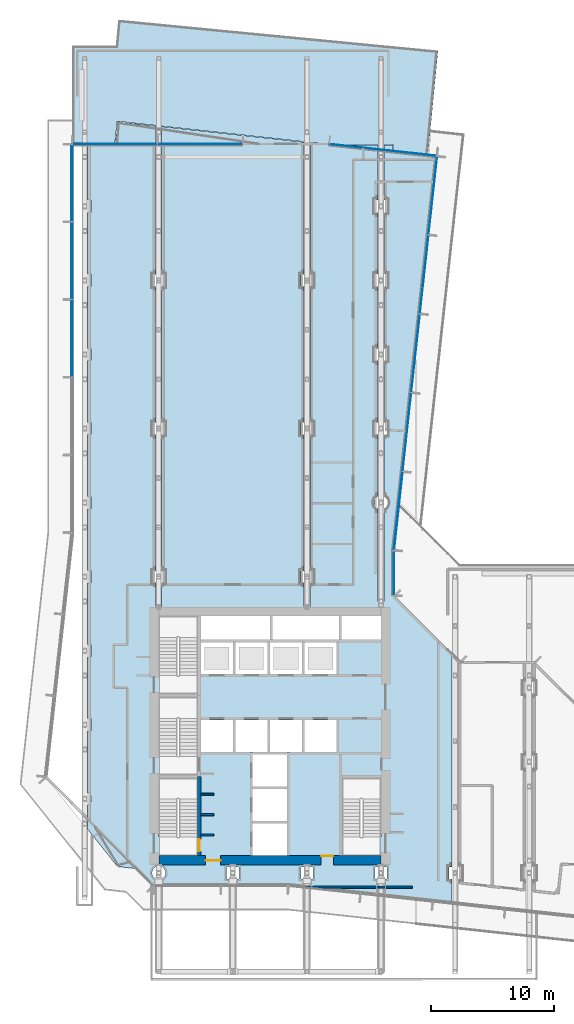
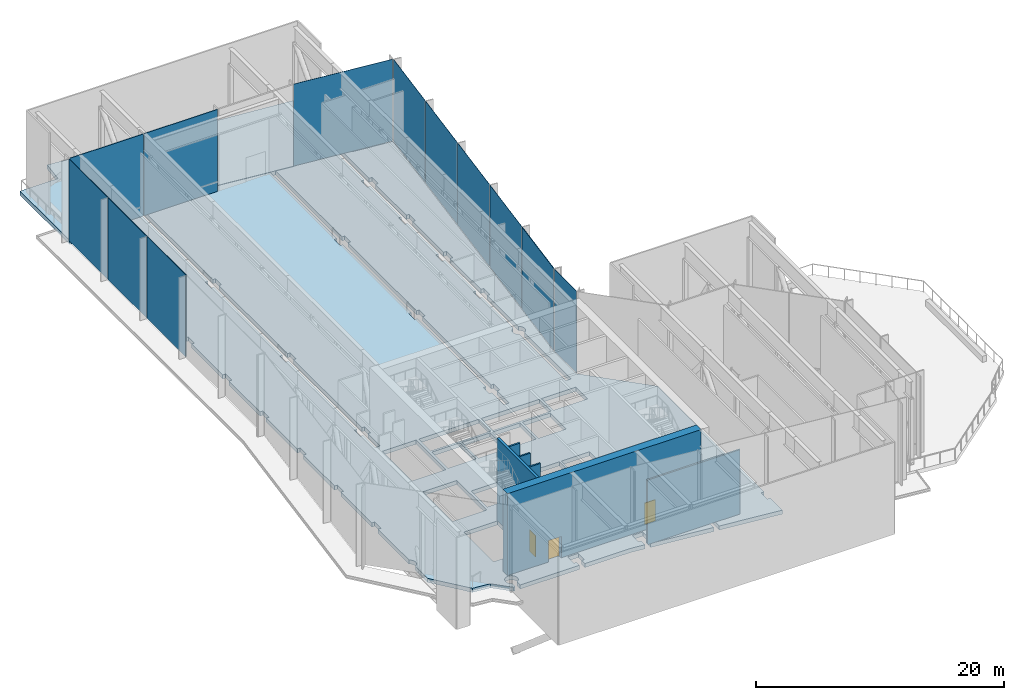
# One storey, part 12 of 24: 12 plates, 6 walls, 3 doors, 2 slabs, 3 openings, 5 elements without a shape of their own.
"""IFC4 building model written with IfcOpenShell, lengths in metres."""

from ifc_helpers import new_model, si_unit, direction, frame, frame_2d, origin, origin_2d, place, context, subcontext, project, spatial, polyline, rectangle, outline, extrude, material, layer, layer_set, type_object, element, fill, aggregate, save


model = new_model("IFC4")

# Units and contexts
model_context = context("Model", 3, precision=1e-05, world=origin(), true_north=direction((0.0, 1.0)))
body_context = subcontext(model_context, "Body", "Model", "MODEL_VIEW")
ifc_project = project(units=[si_unit("LENGTHUNIT", "METRE"), si_unit("AREAUNIT", "SQUARE_METRE"), si_unit("VOLUMEUNIT", "CUBIC_METRE"), si_unit("PLANEANGLEUNIT", "RADIAN"), si_unit("MASSUNIT", "GRAM", prefix="KILO")], contexts=[model_context])

# Site, building, storey
site_placement = place(None, origin())
site = spatial("IfcSite", under=ifc_project, at=site_placement, CompositionType="ELEMENT")
building_placement = place(site_placement, origin())
building = spatial("IfcBuilding", under=site, at=building_placement, Name="Welwitschia Terrace Campus", CompositionType="ELEMENT")
storey_placement = place(building_placement, frame((0.0, 0.0, 138.199951171875)))
storey = spatial("IfcBuildingStorey", under=building, at=storey_placement, Name="L31", CompositionType="ELEMENT", Elevation=138.199951171875)

# Curtain wall, plate
ifc_material_1 = material(Name="Bronze anodised aluminium", Category="aluminium")
ifc_layer_1 = layer(ifc_material_1, 0.159912109375)
ifc_layer_set_1 = layer_set([ifc_layer_1], Name="Bronze anodised aluminium")
curtain_wall_type = type_object("IfcCurtainWallType", Name="Curtain wall CW3 commons 6000", PredefinedType="NOTDEFINED", material=ifc_layer_set_1)
curtain_wall_1_placement = place(storey_placement, origin())
curtain_wall_1 = element("IfcCurtainWall", 1, at=curtain_wall_1_placement, inside=storey, type_object=curtain_wall_type, Name="CW L31.9.0", PredefinedType="NOTDEFINED")
ifc_material_2 = material(Name="Tinted bronze-grey glass", Category="glass")
ifc_layer_2 = layer(ifc_material_2, 0.031982421875)
ifc_layer_set_2 = layer_set([ifc_layer_2], Name="Tinted bronze-grey glass")
plate_type_1 = type_object("IfcPlateType", Name="Glass panel 32 tinted", PredefinedType="CURTAIN_PANEL", material=ifc_layer_set_2)
plate_1_placement = place(storey_placement, frame((25.050048828125, 28.279052734375, 0.0), z_axis=(0.0, 0.0, 1.0), x_axis=(0.0, 1.0, 0.0)))
plate_1 = element("IfcPlate", 2, at=plate_1_placement, type_object=plate_type_1, Name="Panel L31.9.0.0", PredefinedType="CURTAIN_PANEL", context=body_context, shape_type="SweptSolid", body=[
    extrude(rectangle(XDim=3.568359375, YDim=0.031982421875, at=origin_2d()), origin(), (0.0, 0.0, 1.0), 8.050048828125),
])
aggregate(curtain_wall_1, [plate_1])

# Curtain wall, plates
curtain_wall_2_placement = place(storey_placement, origin())
curtain_wall_2 = element("IfcCurtainWall", 3, at=curtain_wall_2_placement, inside=storey, type_object=curtain_wall_type, Name="CW L31.10.0", PredefinedType="NOTDEFINED")
plate_2_placement = place(storey_placement, frame((26.10009765625, 39.712646484375, 0.0), z_axis=(0.0, 0.0, 1.0), x_axis=(0.108866874852, 0.994056338222, 0.0)))
plate_2 = element("IfcPlate", 4, at=plate_2_placement, type_object=plate_type_1, Name="Panel L31.10.0.1", PredefinedType="CURTAIN_PANEL", context=body_context, shape_type="SweptSolid", body=[
    extrude(rectangle(XDim=6.37109375, YDim=0.031982421875, at=origin_2d()), origin(), (0.0, 0.0, 1.0), 8.050048828125),
])
plate_3_placement = place(storey_placement, frame((26.80029296875, 46.105712890625, 0.0), z_axis=(0.0, 0.0, 1.0), x_axis=(0.108866874852, 0.994056338222, 0.0)))
plate_3 = element("IfcPlate", 5, at=plate_3_placement, type_object=plate_type_1, Name="Panel L31.10.0.2", PredefinedType="CURTAIN_PANEL", context=body_context, shape_type="SweptSolid", body=[
    extrude(rectangle(XDim=6.37109375, YDim=0.031982421875, at=origin_2d()), origin(), (0.0, 0.0, 1.0), 8.050048828125),
])
plate_4_placement = place(storey_placement, frame((27.50048828125, 52.49853515625, 0.0), z_axis=(0.0, 0.0, 1.0), x_axis=(0.108866874852, 0.994056338222, 0.0)))
plate_4 = element("IfcPlate", 6, at=plate_4_placement, type_object=plate_type_1, Name="Panel L31.10.0.3", PredefinedType="CURTAIN_PANEL", context=body_context, shape_type="SweptSolid", body=[
    extrude(rectangle(XDim=6.37109375, YDim=0.031982421875, at=origin_2d()), origin(), (0.0, 0.0, 1.0), 8.050048828125),
])
plate_5_placement = place(storey_placement, frame((28.198974609375, 58.87646484375, 0.0), z_axis=(0.0, 0.0, 1.0), x_axis=(0.108866874852, 0.994056338222, 0.0)))
plate_5 = element("IfcPlate", 7, at=plate_5_placement, type_object=plate_type_1, Name="Panel L31.10.0.4", PredefinedType="CURTAIN_PANEL", context=body_context, shape_type="SweptSolid", body=[
    extrude(rectangle(XDim=6.341064453125, YDim=0.031982421875, at=origin_2d()), origin(), (0.0, 0.0, 1.0), 8.050048828125),
])

# Curtain wall, plate
curtain_wall_3_placement = place(storey_placement, origin())
curtain_wall_3 = element("IfcCurtainWall", 8, at=curtain_wall_3_placement, inside=storey, type_object=curtain_wall_type, Name="CW L31.11.0", PredefinedType="NOTDEFINED")
plate_6_placement = place(storey_placement, frame((24.158203125, 62.56884765625, 0.0), z_axis=(0.0, 0.0, 1.0), x_axis=(-0.994056338222, 0.108866874852, 0.0)))
plate_6 = element("IfcPlate", 9, at=plate_6_placement, type_object=plate_type_1, Name="Panel L31.11.0.0", PredefinedType="CURTAIN_PANEL", context=body_context, shape_type="SweptSolid", body=[
    extrude(rectangle(XDim=8.717529296875, YDim=0.031982421875, at=origin_2d()), origin(), (0.0, 0.0, 1.0), 8.050048828125),
])
aggregate(curtain_wall_3, [plate_6])

# Plate
ifc_material_3 = material(Name="Bronze anodised insulated metal panel")
ifc_layer_3 = layer(ifc_material_3, 0.06005859375)
ifc_layer_set_3 = layer_set([ifc_layer_3], Name="Bronze anodised insulated metal panel")
plate_type_2 = type_object("IfcPlateType", Name="Insulated metal panel 60", PredefinedType="CURTAIN_PANEL", material=ifc_layer_set_3)
plate_7_placement = place(storey_placement, frame((25.401611328125, 33.334716796875, 0.0), z_axis=(0.0, 0.0, 1.0), x_axis=(0.108866874852, 0.994056338222, 0.0)))
plate_7 = element("IfcPlate", 10, at=plate_7_placement, type_object=plate_type_2, Name="Panel L31.10.0.0", PredefinedType="CURTAIN_PANEL", context=body_context, shape_type="SweptSolid", body=[
    extrude(rectangle(XDim=6.341064453125, YDim=0.06005859375, at=origin_2d()), origin(), (0.0, 0.0, 1.0), 8.050048828125),
])

aggregate(curtain_wall_2, [plate_7, plate_2, plate_3, plate_4, plate_5])

# Curtain wall, plates
curtain_wall_4_placement = place(storey_placement, origin())
curtain_wall_4 = element("IfcCurtainWall", 11, at=curtain_wall_4_placement, inside=storey, type_object=curtain_wall_type, Name="CW L31.12.1", PredefinedType="NOTDEFINED")
plate_8_placement = place(storey_placement, frame((9.3427734375, 63.050048828125, 0.0), z_axis=(0.0, 0.0, 1.0), x_axis=(-1.0, 0.0, 0.0)))
plate_8 = element("IfcPlate", 12, at=plate_8_placement, type_object=plate_type_2, Name="Panel L31.12.1.0", PredefinedType="CURTAIN_PANEL", context=body_context, shape_type="SweptSolid", body=[
    extrude(rectangle(XDim=6.8486328125, YDim=0.06005859375, at=origin_2d()), origin(), (0.0, 0.0, 1.0), 8.050048828125),
])
plate_9_placement = place(storey_placement, frame((2.434326171875, 63.050048828125, 0.0), z_axis=(0.0, 0.0, 1.0), x_axis=(-1.0, 0.0, 0.0)))
plate_9 = element("IfcPlate", 13, at=plate_9_placement, type_object=plate_type_2, Name="Panel L31.12.1.1", PredefinedType="CURTAIN_PANEL", context=body_context, shape_type="SweptSolid", body=[
    extrude(rectangle(XDim=6.8486328125, YDim=0.06005859375, at=origin_2d()), origin(), (0.0, 0.0, 1.0), 8.050048828125),
])
aggregate(curtain_wall_4, [plate_8, plate_9])

curtain_wall_5_placement = place(storey_placement, origin())
curtain_wall_5 = element("IfcCurtainWall", 14, at=curtain_wall_5_placement, inside=storey, type_object=curtain_wall_type, Name="CW L31.13.0", PredefinedType="NOTDEFINED")
plate_10_placement = place(storey_placement, frame((-1.050048828125, 59.884765625, 0.0), z_axis=(0.0, 0.0, 1.0), x_axis=(0.0, -1.0, 0.0)))
plate_10 = element("IfcPlate", 15, at=plate_10_placement, type_object=plate_type_2, Name="Panel L31.13.0.0", PredefinedType="CURTAIN_PANEL", context=body_context, shape_type="SweptSolid", body=[
    extrude(rectangle(XDim=6.21044921875, YDim=0.06005859375, at=origin_2d()), origin(), (0.0, 0.0, 1.0), 8.050048828125),
])
plate_11_placement = place(storey_placement, frame((-1.050048828125, 53.599365234375, 0.0), z_axis=(0.0, 0.0, 1.0), x_axis=(0.0, -1.0, 0.0)))
plate_11 = element("IfcPlate", 16, at=plate_11_placement, type_object=plate_type_2, Name="Panel L31.13.0.1", PredefinedType="CURTAIN_PANEL", context=body_context, shape_type="SweptSolid", body=[
    extrude(rectangle(XDim=6.240234375, YDim=0.06005859375, at=origin_2d()), origin(), (0.0, 0.0, 1.0), 8.050048828125),
])
plate_12_placement = place(storey_placement, frame((-1.050048828125, 47.299072265625, 0.0), z_axis=(0.0, 0.0, 1.0), x_axis=(0.0, -1.0, 0.0)))
plate_12 = element("IfcPlate", 17, at=plate_12_placement, type_object=plate_type_2, Name="Panel L31.13.0.2", PredefinedType="CURTAIN_PANEL", context=body_context, shape_type="SweptSolid", body=[
    extrude(rectangle(XDim=6.240234375, YDim=0.06005859375, at=origin_2d()), origin(), (0.0, 0.0, 1.0), 8.050048828125),
])
aggregate(curtain_wall_5, [plate_10, plate_11, plate_12])

# Slabs
ifc_material_4 = material(Name="Concrete C40/50", Category="concrete")
ifc_layer_4 = layer(ifc_material_4, 0.39990234375)
ifc_layer_set_4 = layer_set([ifc_layer_4], Name="Concrete C40/50")
slab_type_1 = type_object("IfcSlabType", Name="Suspended floor slab 400", PredefinedType="FLOOR", material=ifc_layer_set_4)
slab_1_placement = place(storey_placement, frame((0.0, 0.0, -0.39990234375)))
element("IfcSlab", 18, at=slab_1_placement, inside=storey, type_object=slab_type_1, Name="Floor slab L31", PredefinedType="FLOOR", context=body_context, shape_type="SweptSolid", body=[
    extrude(outline(polyline([(4.2451171875, 4.3408203125), (2.664794921875, 4.513916015625), (0.235107421875, 7.541259765625), (0.235107421875, 9.5048828125), (0.3056640625, 9.542724609375), (0.388916015625, 9.611083984375), (0.457275390625, 9.6943359375), (0.508056640625, 9.78955078125), (0.53955078125, 9.892822265625), (0.550048828125, 10.0), (0.53955078125, 10.107177734375), (0.508056640625, 10.21044921875), (0.457275390625, 10.3056640625), (0.388916015625, 10.388916015625), (0.3056640625, 10.457275390625), (0.235107421875, 10.4951171875), (0.235107421875, 15.5), (0.5, 15.5), (0.5, 16.5), (0.235107421875, 16.5), (0.235107421875, 21.5), (0.5, 21.5), (0.5, 22.5), (0.235107421875, 22.5), (0.235107421875, 27.5), (0.5, 27.5), (0.5, 28.5), (0.235107421875, 28.5), (0.235107421875, 33.5), (0.5, 33.5), (0.5, 34.5), (0.235107421875, 34.5), (0.235107421875, 39.5), (0.5, 39.5), (0.5, 40.5), (0.235107421875, 40.5), (0.235107421875, 45.5), (0.5, 45.5), (0.5, 46.5), (0.235107421875, 46.5), (0.235107421875, 51.5), (0.5, 51.5), (0.5, 52.5), (0.235107421875, 52.5), (0.235107421875, 57.5), (0.5, 57.5), (0.5, 58.5), (0.235107421875, 58.5), (0.235107421875, 62.985107421875), (2.44482421875, 62.985107421875), (2.4462890625, 62.985107421875), (2.44775390625, 62.9853515625), (2.44921875, 62.985595703125), (2.450439453125, 62.986083984375), (2.451904296875, 62.98681640625), (2.453125, 62.987548828125), (2.454345703125, 62.98828125), (2.455322265625, 62.9892578125), (2.456298828125, 62.990478515625), (2.457275390625, 62.991455078125), (2.4580078125, 62.992919921875), (2.458740234375, 62.994140625), (2.459228515625, 62.99560546875), (2.45947265625, 62.996826171875), (2.459716796875, 62.998291015625), (2.663330078125, 64.857666015625), (5.763427734375, 64.51806640625), (5.763427734375, 64.518310546875), (5.751953125, 64.531005859375), (5.764892578125, 64.531005859375), (5.764892578125, 52.47509765625), (5.52490234375, 52.47509765625), (5.52490234375, 51.52490234375), (5.764892578125, 51.52490234375), (5.764892578125, 40.47509765625), (5.52490234375, 40.47509765625), (5.52490234375, 39.52490234375), (5.764892578125, 39.52490234375), (5.764892578125, 28.47509765625), (5.52490234375, 28.47509765625), (5.52490234375, 27.52490234375), (5.764892578125, 27.52490234375), (5.764892578125, 25.550048828125), (6.235107421875, 25.550048828125), (6.235107421875, 27.52490234375), (6.47509765625, 27.52490234375), (6.47509765625, 28.47509765625), (6.235107421875, 28.47509765625), (6.235107421875, 39.52490234375), (6.47509765625, 39.52490234375), (6.47509765625, 40.47509765625), (6.235107421875, 40.47509765625), (6.235107421875, 51.52490234375), (6.47509765625, 51.52490234375), (6.47509765625, 52.47509765625), (6.235107421875, 52.47509765625), (6.235107421875, 64.466552734375), (17.763427734375, 63.203857421875), (17.763427734375, 63.2041015625), (17.751953125, 63.216796875), (17.764892578125, 63.216796875), (17.764892578125, 52.47509765625), (17.52490234375, 52.47509765625), (17.52490234375, 51.52490234375), (17.764892578125, 51.52490234375), (17.764892578125, 40.47509765625), (17.52490234375, 40.47509765625), (17.52490234375, 39.52490234375), (17.764892578125, 39.52490234375), (17.764892578125, 28.47509765625), (17.52490234375, 28.47509765625), (17.52490234375, 27.52490234375), (17.764892578125, 27.52490234375), (17.764892578125, 25.550048828125), (18.235107421875, 25.550048828125), (18.235107421875, 27.52490234375), (18.47509765625, 27.52490234375), (18.47509765625, 28.47509765625), (18.235107421875, 28.47509765625), (18.235107421875, 39.52490234375), (18.47509765625, 39.52490234375), (18.47509765625, 40.47509765625), (18.235107421875, 40.47509765625), (18.235107421875, 51.52490234375), (18.47509765625, 51.52490234375), (18.47509765625, 52.47509765625), (18.235107421875, 52.47509765625), (18.235107421875, 63.15234375), (19.76123046875, 62.985107421875), (19.762939453125, 62.985107421875), (23.764892578125, 62.985107421875), (23.764892578125, 58.5), (23.5, 58.5), (23.5, 57.5), (23.764892578125, 57.5), (23.764892578125, 52.5), (23.5, 52.5), (23.5, 51.5), (23.764892578125, 51.5), (23.764892578125, 46.5), (23.5, 46.5), (23.5, 45.5), (23.764892578125, 45.5), (23.764892578125, 40.5), (23.5, 40.5), (23.5, 39.5), (23.764892578125, 39.5), (23.764892578125, 34.4951171875), (23.6943359375, 34.457275390625), (23.611083984375, 34.388916015625), (23.542724609375, 34.3056640625), (23.491943359375, 34.21044921875), (23.46044921875, 34.107177734375), (23.449951171875, 34.0), (23.46044921875, 33.892822265625), (23.491943359375, 33.78955078125), (23.542724609375, 33.6943359375), (23.611083984375, 33.611083984375), (23.6943359375, 33.542724609375), (23.764892578125, 33.5048828125), (23.764892578125, 26.0), (24.235107421875, 26.0), (24.235107421875, 33.5048828125), (24.3056640625, 33.542724609375), (24.388916015625, 33.611083984375), (24.457275390625, 33.6943359375), (24.508056640625, 33.78955078125), (24.53955078125, 33.892822265625), (24.550048828125, 34.0), (24.53955078125, 34.107177734375), (24.508056640625, 34.21044921875), (24.457275390625, 34.3056640625), (24.388916015625, 34.388916015625), (24.3056640625, 34.457275390625), (24.235107421875, 34.4951171875), (24.235107421875, 39.5), (24.5, 39.5), (24.5, 40.5), (24.235107421875, 40.5), (24.235107421875, 45.5), (24.5, 45.5), (24.5, 46.5), (24.235107421875, 46.5), (24.235107421875, 51.5), (24.5, 51.5), (24.5, 52.5), (24.235107421875, 52.5), (24.235107421875, 57.5), (24.5, 57.5), (24.5, 58.5), (24.235107421875, 58.5), (24.235107421875, 62.985107421875), (24.985107421875, 62.985107421875), (24.985107421875, 62.426513671875), (24.985107421875, 62.425048828125), (24.9853515625, 62.423583984375), (24.985595703125, 62.422119140625), (24.986083984375, 62.420654296875), (24.98681640625, 62.41943359375), (24.987548828125, 62.418212890625), (24.98828125, 62.4169921875), (24.9892578125, 62.416015625), (24.990478515625, 62.4150390625), (24.991455078125, 62.4140625), (24.992919921875, 62.413330078125), (24.994140625, 62.41259765625), (24.99560546875, 62.412109375), (24.996826171875, 62.411865234375), (24.998291015625, 62.41162109375), (27.797607421875, 62.10498046875), (27.79931640625, 62.119873046875), (28.49560546875, 62.043701171875), (25.423583984375, 33.992919921875), (25.40869140625, 33.99462890625), (24.985107421875, 30.127685546875), (24.985107421875, 30.1259765625), (24.985107421875, 26.414306640625), (24.985107421875, 26.412841796875), (24.9853515625, 26.411376953125), (24.985595703125, 26.409912109375), (24.986083984375, 26.408447265625), (24.98681640625, 26.4072265625), (24.987548828125, 26.40576171875), (24.988525390625, 26.40478515625), (24.989501953125, 26.403564453125), (29.75439453125, 21.638671875), (29.754638671875, 21.638671875), (29.75146484375, 21.646484375), (29.764892578125, 21.646484375), (29.764892578125, 4.5), (29.5, 4.5), (29.5, 3.5), (29.764892578125, 3.5), (29.764892578125, 1.5458984375), (24.235107421875, 2.1513671875), (24.235107421875, 3.5), (24.5, 3.5), (24.5, 4.5), (23.5, 4.5), (23.5, 3.5), (23.764892578125, 3.5), (23.764892578125, 2.202880859375), (18.235107421875, 2.80859375), (18.235107421875, 3.5), (18.5, 3.5), (18.5, 4.5), (17.5, 4.5), (17.5, 3.5), (17.764892578125, 3.5), (17.764892578125, 2.860107421875), (16.4873046875, 3.0), (12.235107421875, 3.0), (12.235107421875, 3.5), (12.5, 3.5), (12.5, 4.5), (11.5, 4.5), (11.5, 3.5), (11.764892578125, 3.5), (11.764892578125, 3.0), (6.235107421875, 3.0), (6.235107421875, 3.5048828125), (6.3056640625, 3.542724609375), (6.388916015625, 3.611083984375), (6.457275390625, 3.6943359375), (6.508056640625, 3.78955078125), (6.53955078125, 3.892822265625), (6.550048828125, 4.0), (6.53955078125, 4.107177734375), (6.508056640625, 4.21044921875), (6.457275390625, 4.3056640625), (6.388916015625, 4.388916015625), (6.3056640625, 4.457275390625), (6.21044921875, 4.508056640625), (6.107177734375, 4.53955078125), (6.0, 4.550048828125), (5.892822265625, 4.53955078125), (5.78955078125, 4.508056640625), (5.6943359375, 4.457275390625), (5.611083984375, 4.388916015625), (5.542724609375, 4.3056640625), (5.491943359375, 4.21044921875), (5.46044921875, 4.107177734375), (5.449951171875, 4.0), (5.46044921875, 3.892822265625), (5.491943359375, 3.78955078125), (5.542724609375, 3.6943359375), (5.611083984375, 3.611083984375), (5.6943359375, 3.542724609375), (5.764892578125, 3.5048828125), (5.764892578125, 3.0), (5.585693359375, 3.0), (4.2451171875, 4.3408203125)]), holes=[polyline([(9.14990234375, 6.902099609375), (9.14990234375, 11.699951171875), (6.0, 11.699951171875), (6.0, 6.902099609375), (9.14990234375, 6.902099609375)]), polyline([(9.14990234375, 13.451904296875), (9.14990234375, 18.25), (6.0, 18.25), (6.0, 13.451904296875), (9.14990234375, 13.451904296875)]), polyline([(12.0, 20.10009765625), (12.0, 22.699951171875), (9.39990234375, 22.699951171875), (9.39990234375, 20.10009765625), (12.0, 20.10009765625)]), polyline([(9.14990234375, 20.001953125), (9.14990234375, 24.800048828125), (6.0, 24.800048828125), (6.0, 20.001953125), (9.14990234375, 20.001953125)]), polyline([(16.39990234375, 5.39990234375), (16.39990234375, 8.0), (13.60009765625, 8.0), (13.60009765625, 5.39990234375), (16.39990234375, 5.39990234375)]), polyline([(16.39990234375, 8.199951171875), (16.39990234375, 10.800048828125), (13.60009765625, 10.800048828125), (13.60009765625, 8.199951171875), (16.39990234375, 8.199951171875)]), polyline([(16.39990234375, 11.0), (16.39990234375, 13.60009765625), (13.60009765625, 13.60009765625), (13.60009765625, 11.0), (16.39990234375, 11.0)]), polyline([(17.60009765625, 13.800048828125), (17.60009765625, 16.39990234375), (15.0, 16.39990234375), (15.0, 13.800048828125), (17.60009765625, 13.800048828125)]), polyline([(20.39990234375, 13.800048828125), (20.39990234375, 16.39990234375), (17.800048828125, 16.39990234375), (17.800048828125, 13.800048828125), (20.39990234375, 13.800048828125)]), polyline([(12.0, 16.39990234375), (9.39990234375, 16.39990234375), (9.39990234375, 13.800048828125), (12.0, 13.800048828125), (12.0, 16.39990234375)]), polyline([(14.800048828125, 13.800048828125), (14.800048828125, 16.39990234375), (12.199951171875, 16.39990234375), (12.199951171875, 13.800048828125), (14.800048828125, 13.800048828125)]), polyline([(17.60009765625, 20.10009765625), (17.60009765625, 22.699951171875), (15.0, 22.699951171875), (15.0, 20.10009765625), (17.60009765625, 20.10009765625)]), polyline([(14.800048828125, 20.10009765625), (14.800048828125, 22.699951171875), (12.199951171875, 22.699951171875), (12.199951171875, 20.10009765625), (14.800048828125, 20.10009765625)]), polyline([(20.39990234375, 20.10009765625), (20.39990234375, 22.699951171875), (17.800048828125, 22.699951171875), (17.800048828125, 20.10009765625), (20.39990234375, 20.10009765625)]), polyline([(20.60009765625, 22.89990234375), (20.60009765625, 24.800048828125), (15.199951171875, 24.800048828125), (15.199951171875, 22.89990234375), (20.60009765625, 22.89990234375)]), polyline([(15.0, 22.89990234375), (15.0, 24.800048828125), (9.39990234375, 24.800048828125), (9.39990234375, 22.89990234375), (15.0, 22.89990234375)]), polyline([(24.0, 6.902099609375), (24.0, 11.699951171875), (20.85009765625, 11.699951171875), (20.85009765625, 6.902099609375), (24.0, 6.902099609375)]), polyline([(24.0, 22.89990234375), (24.0, 24.800048828125), (20.800048828125, 24.800048828125), (20.800048828125, 22.89990234375), (24.0, 22.89990234375)])]), origin(), (0.0, 0.0, 1.0), 0.39990234375),
])
ifc_material_5 = material(Name="Concrete C40/50", Category="concrete")
ifc_layer_5 = layer(ifc_material_5, 0.39990234375)
ifc_layer_set_5 = layer_set([ifc_layer_5], Name="Concrete C40/50")
slab_type_2 = type_object("IfcSlabType", Name="Terrace slab 400", PredefinedType="FLOOR", material=ifc_layer_set_5)
slab_2_placement = place(storey_placement, frame((0.0, 0.0, -0.39990234375)))
element("IfcSlab", 19, at=slab_2_placement, inside=storey, type_object=slab_type_2, Name="Terrace slab", PredefinedType="FLOOR", context=body_context, shape_type="SweptSolid", body=[
    extrude(outline(polyline([(-1.0, 63.0), (-1.0, 71.0), (2.5322265625, 71.0), (2.73388671875, 73.095458984375), (28.6142578125, 70.603515625), (27.798828125, 62.135009765625), (25.014892578125, 62.43994140625), (25.014892578125, 63.0), (25.014892578125, 63.00146484375), (25.0146484375, 63.0029296875), (25.014404296875, 63.00439453125), (25.013916015625, 63.005859375), (25.01318359375, 63.007080078125), (25.012451171875, 63.00830078125), (25.011474609375, 63.009521484375), (25.010498046875, 63.010498046875), (25.009521484375, 63.011474609375), (25.00830078125, 63.012451171875), (25.007080078125, 63.01318359375), (25.005859375, 63.013916015625), (25.00439453125, 63.014404296875), (25.0029296875, 63.0146484375), (25.00146484375, 63.014892578125), (25.0, 63.014892578125), (24.235107421875, 63.014892578125), (24.233642578125, 63.014892578125), (24.232177734375, 63.0146484375), (24.230712890625, 63.014404296875), (24.229248046875, 63.013916015625), (24.22802734375, 63.01318359375), (24.2265625, 63.012451171875), (24.2255859375, 63.011474609375), (24.224365234375, 63.010498046875), (24.223388671875, 63.009521484375), (24.222412109375, 63.00830078125), (24.2216796875, 63.007080078125), (24.22119140625, 63.005859375), (24.220703125, 63.00439453125), (24.22021484375, 63.0029296875), (24.219970703125, 63.00146484375), (24.219970703125, 63.0), (23.780029296875, 63.0), (23.780029296875, 63.00146484375), (23.77978515625, 63.0029296875), (23.779296875, 63.00439453125), (23.77880859375, 63.005859375), (23.7783203125, 63.007080078125), (23.777587890625, 63.00830078125), (23.776611328125, 63.009521484375), (23.775634765625, 63.010498046875), (23.7744140625, 63.011474609375), (23.7734375, 63.012451171875), (23.77197265625, 63.01318359375), (23.770751953125, 63.013916015625), (23.769287109375, 63.014404296875), (23.767822265625, 63.0146484375), (23.766357421875, 63.014892578125), (23.764892578125, 63.014892578125), (19.763916015625, 63.014892578125), (18.236572265625, 63.182373046875), (18.235107421875, 63.182373046875), (18.233642578125, 63.182373046875), (18.232177734375, 63.18212890625), (18.230712890625, 63.181640625), (18.229248046875, 63.18115234375), (18.22802734375, 63.1806640625), (18.226806640625, 63.179931640625), (18.2255859375, 63.178955078125), (18.224365234375, 63.177978515625), (18.223388671875, 63.177001953125), (18.22265625, 63.17578125), (18.2216796875, 63.174560546875), (18.22119140625, 63.173095703125), (18.220703125, 63.171630859375), (18.22021484375, 63.170166015625), (18.22021484375, 63.1689453125), (17.780029296875, 63.21728515625), (17.780029296875, 63.21875), (17.780029296875, 63.22021484375), (17.77978515625, 63.2216796875), (17.779296875, 63.22314453125), (17.77880859375, 63.224609375), (17.7783203125, 63.225830078125), (17.777587890625, 63.22705078125), (17.776611328125, 63.228271484375), (17.775634765625, 63.229248046875), (17.774658203125, 63.23046875), (17.7734375, 63.231201171875), (17.772216796875, 63.23193359375), (17.770751953125, 63.232666015625), (17.76953125, 63.233154296875), (17.76806640625, 63.2333984375), (17.7666015625, 63.233642578125), (6.236572265625, 64.49658203125), (6.235107421875, 64.49658203125), (6.233642578125, 64.49658203125), (6.232177734375, 64.496337890625), (6.230712890625, 64.495849609375), (6.229248046875, 64.495361328125), (6.22802734375, 64.494873046875), (6.226806640625, 64.494140625), (6.2255859375, 64.4931640625), (6.224365234375, 64.4921875), (6.223388671875, 64.4912109375), (6.22265625, 64.489990234375), (6.2216796875, 64.48876953125), (6.22119140625, 64.4873046875), (6.220703125, 64.48583984375), (6.22021484375, 64.484619140625), (6.22021484375, 64.483154296875), (5.780029296875, 64.531494140625), (5.780029296875, 64.532958984375), (5.780029296875, 64.534423828125), (5.77978515625, 64.535888671875), (5.779296875, 64.537353515625), (5.77880859375, 64.538818359375), (5.7783203125, 64.5400390625), (5.777587890625, 64.541259765625), (5.776611328125, 64.54248046875), (5.775634765625, 64.54345703125), (5.774658203125, 64.544677734375), (5.7734375, 64.54541015625), (5.772216796875, 64.546142578125), (5.770751953125, 64.546875), (5.76953125, 64.54736328125), (5.76806640625, 64.547607421875), (5.7666015625, 64.5478515625), (2.651611328125, 64.88916015625), (2.650146484375, 64.88916015625), (2.648681640625, 64.88916015625), (2.647216796875, 64.888916015625), (2.64599609375, 64.888671875), (2.64453125, 64.88818359375), (2.64306640625, 64.887451171875), (2.641845703125, 64.88671875), (2.640625, 64.885986328125), (2.6396484375, 64.885009765625), (2.638671875, 64.8837890625), (2.6376953125, 64.882568359375), (2.636962890625, 64.88134765625), (2.63623046875, 64.880126953125), (2.6357421875, 64.878662109375), (2.635498046875, 64.877197265625), (2.63525390625, 64.875732421875), (2.431396484375, 63.014892578125), (0.235107421875, 63.014892578125), (0.233642578125, 63.014892578125), (0.232177734375, 63.0146484375), (0.230712890625, 63.014404296875), (0.229248046875, 63.013916015625), (0.22802734375, 63.01318359375), (0.2265625, 63.012451171875), (0.2255859375, 63.011474609375), (0.224365234375, 63.010498046875), (0.223388671875, 63.009521484375), (0.222412109375, 63.00830078125), (0.2216796875, 63.007080078125), (0.22119140625, 63.005859375), (0.220703125, 63.00439453125), (0.22021484375, 63.0029296875), (0.219970703125, 63.00146484375), (0.219970703125, 63.0), (-1.0, 63.0)])), origin(), (0.0, 0.0, 1.0), 0.39990234375),
])

# Walls
ifc_material_6 = material(Name="Concrete C50/60", Category="concrete")
ifc_layer_6 = layer(ifc_material_6, 0.14990234375)
ifc_layer_set_6 = layer_set([ifc_layer_6], Name="Concrete C50/60")
wall_type_1 = type_object("IfcWallType", Name="Core wall 150 Concrete C50/60", PredefinedType="SHEAR", material=ifc_layer_set_6)
for number, where, z_axis, x_axis, name in (
    (20, (9.39990234375, 7.074951171875, 0.0), (0.0, 0.0, 1.0), (1.0, 0.0, 0.0), "Core wall"),
    (21, (9.39990234375, 8.72509765625, 0.0), (0.0, 0.0, 1.0), (1.0, 0.0, 0.0), "Core wall"),
    (22, (9.39990234375, 10.375, 0.0), (0.0, 0.0, 1.0), (1.0, 0.0, 0.0), "Core wall"),
):
    element("IfcWall", number, at=place(storey_placement, frame(where, z_axis=z_axis, x_axis=x_axis)), inside=storey, type_object=wall_type_1, Name=name, PredefinedType="SHEAR", context=body_context, shape_type="SweptSolid", body=[
        extrude(rectangle(XDim=1.050048828125, YDim=0.14990234375, at=frame_2d((0.52490234375, 0.0))), origin(), (0.0, 0.0, 1.0), 8.050048828125),
    ])

# Wall, opening, door
ifc_material_7 = material(Name="Concrete C50/60", Category="concrete")
ifc_layer_7 = layer(ifc_material_7, 0.25)
ifc_layer_set_7 = layer_set([ifc_layer_7], Name="Concrete C50/60")
wall_type_2 = type_object("IfcWallType", Name="Core wall 250 Concrete C50/60", PredefinedType="SHEAR", material=ifc_layer_set_7)
wall_1_placement = place(storey_placement, frame((9.27490234375, 11.824951171875, 0.0), z_axis=(0.0, 0.0, 1.0), x_axis=(0.0, -1.0, 0.0)))
wall_1 = element("IfcWall", 23, at=wall_1_placement, inside=storey, type_object=wall_type_2, Name="Core wall", PredefinedType="SHEAR", context=body_context, shape_type="SweptSolid", body=[
    extrude(rectangle(XDim=6.425048828125, YDim=0.25, at=frame_2d((3.21240234375, 0.0))), origin(), (0.0, 0.0, 1.0), 8.050048828125),
])
opening_1_placement = place(wall_1_placement, frame((5.074951171875, 0.0, 0.0)))
opening_1 = element("IfcOpeningElement", 24, at=opening_1_placement, cuts=wall_1, Name="Opening DS10", PredefinedType="OPENING", context=body_context, shape_type="SweptSolid", body=[
    extrude(rectangle(XDim=1.0, YDim=2.10009765625, at=frame_2d((0.5, 1.050048828125))), frame((0.0, 0.135009765625, 0.0), z_axis=(0.0, -1.0, 0.0), x_axis=(1.0, 0.0, 0.0)), (0.0, 0.0, 1.0), 0.27001953125),
])
ifc_material_8 = material(Name="Steel S275", Category="steel")
door_type_1 = type_object("IfcDoorType", Name="Core door DS10", OperationType="SINGLE_SWING_LEFT", PredefinedType="DOOR", material=ifc_material_8)
door_1_placement = place(opening_1_placement, origin())
door_1 = element("IfcDoor", 25, at=door_1_placement, inside=storey, type_object=door_type_1, Name="Door S1-FL", OperationType="SINGLE_SWING_RIGHT", OverallHeight=2.10009765625, OverallWidth=1.0, PredefinedType="DOOR", context=body_context, shape_type="SweptSolid", body=[
    extrude(rectangle(XDim=1.0, YDim=2.10009765625, at=frame_2d((0.5, 1.050048828125))), frame((0.0, 0.02490234375, 0.0), z_axis=(0.0, -1.0, 0.0), x_axis=(1.0, 0.0, 0.0)), (0.0, 0.0, 1.0), 0.050048828125),
])
fill(opening_1, door_1)

# Wall, openings, doors
ifc_material_9 = material(Name="Concrete C70/85", Category="concrete")
ifc_layer_8 = layer(ifc_material_9, 0.75)
ifc_layer_set_8 = layer_set([ifc_layer_8], Name="Concrete C70/85")
wall_type_3 = type_object("IfcWallType", Name="Core wall 750 Concrete C70/85", PredefinedType="SHEAR", material=ifc_layer_set_8)
wall_2_placement = place(storey_placement, frame((24.0, 5.02490234375, 0.0), z_axis=(0.0, 0.0, 1.0), x_axis=(-1.0, 0.0, 0.0)))
wall_2 = element("IfcWall", 26, at=wall_2_placement, inside=storey, type_object=wall_type_3, Name="Core outer wall", PredefinedType="SHEAR", context=body_context, shape_type="SweptSolid", body=[
    extrude(rectangle(XDim=18.0, YDim=0.75, at=frame_2d((9.0, 0.0))), origin(), (0.0, 0.0, 1.0), 8.050048828125),
])
opening_2_placement = place(wall_2_placement, frame((13.0, 0.0, 0.0)))
opening_2 = element("IfcOpeningElement", 27, at=opening_2_placement, cuts=wall_2, Name="Opening DF12", PredefinedType="OPENING", context=body_context, shape_type="SweptSolid", body=[
    extrude(rectangle(XDim=1.199951171875, YDim=2.10009765625, at=frame_2d((0.60009765625, 1.050048828125))), frame((0.0, 0.385009765625, 0.0), z_axis=(0.0, -1.0, 0.0), x_axis=(1.0, 0.0, 0.0)), (0.0, 0.0, 1.0), 0.77001953125),
])
opening_3_placement = place(wall_2_placement, frame((3.85009765625, 0.0, 0.0)))
opening_3 = element("IfcOpeningElement", 28, at=opening_3_placement, cuts=wall_2, Name="Opening DR10", PredefinedType="OPENING", context=body_context, shape_type="SweptSolid", body=[
    extrude(rectangle(XDim=1.0, YDim=2.10009765625, at=frame_2d((0.5, 1.050048828125))), frame((0.0, 0.385009765625, 0.0), z_axis=(0.0, -1.0, 0.0), x_axis=(1.0, 0.0, 0.0)), (0.0, 0.0, 1.0), 0.77001953125),
])
ifc_material_10 = material(Name="Steel S275", Category="steel")
door_type_2 = type_object("IfcDoorType", Name="Core door DF12", OperationType="SINGLE_SWING_LEFT", PredefinedType="DOOR", material=ifc_material_10)
door_2_placement = place(opening_2_placement, origin())
door_2 = element("IfcDoor", 29, at=door_2_placement, inside=storey, type_object=door_type_2, Name="Door FL-out", OperationType="SINGLE_SWING_RIGHT", OverallHeight=2.10009765625, OverallWidth=1.199951171875, PredefinedType="DOOR", context=body_context, shape_type="SweptSolid", body=[
    extrude(rectangle(XDim=1.199951171875, YDim=2.10009765625, at=frame_2d((0.60009765625, 1.050048828125))), frame((0.0, 0.02490234375, 0.0), z_axis=(0.0, -1.0, 0.0), x_axis=(1.0, 0.0, 0.0)), (0.0, 0.0, 1.0), 0.050048828125),
])
fill(opening_2, door_2)
ifc_material_11 = material(Name="Steel S275", Category="steel")
door_type_3 = type_object("IfcDoorType", Name="Core door DR10", OperationType="SINGLE_SWING_LEFT", PredefinedType="DOOR", material=ifc_material_11)
door_3_placement = place(opening_3_placement, origin())
door_3 = element("IfcDoor", 30, at=door_3_placement, inside=storey, type_object=door_type_3, Name="Door F1-out", OperationType="SINGLE_SWING_LEFT", OverallHeight=2.10009765625, OverallWidth=1.0, PredefinedType="DOOR", context=body_context, shape_type="SweptSolid", body=[
    extrude(rectangle(XDim=1.0, YDim=2.10009765625, at=frame_2d((0.5, 1.050048828125))), frame((0.0, -0.31494140625, 0.0), z_axis=(0.0, -1.0, 0.0), x_axis=(1.0, 0.0, 0.0)), (0.0, 0.0, 1.0), 0.050048828125),
])
fill(opening_3, door_3)

# Wall
ifc_material_12 = material(Name="Gypsum board on steel studs", Category="steel")
ifc_layer_9 = layer(ifc_material_12, 0.14990234375)
ifc_layer_set_9 = layer_set([ifc_layer_9], Name="Gypsum board on steel studs")
wall_type_4 = type_object("IfcWallType", Name="Corridor partition 150 EI 30", PredefinedType="PARTITIONING", material=ifc_layer_set_9)
wall_3_placement = place(storey_placement, frame((17.94873046875, 2.85009765625, 0.0), z_axis=(0.0, 0.0, 1.0), x_axis=(1.0, 0.0, 0.0)))
element("IfcWall", 31, at=wall_3_placement, inside=storey, type_object=wall_type_4, Name="Partition", PredefinedType="PARTITIONING", context=body_context, shape_type="SweptSolid", body=[
    extrude(rectangle(XDim=8.601318359375, YDim=0.14990234375, at=frame_2d((4.30078125, 0.0))), origin(), (0.0, 0.0, 1.0), 6.330078125),
])

save(model, "model.ifc")
